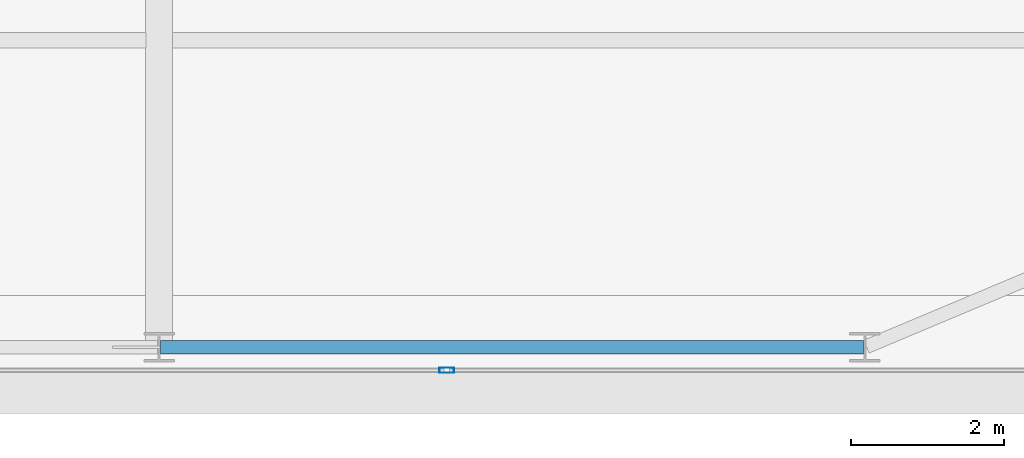
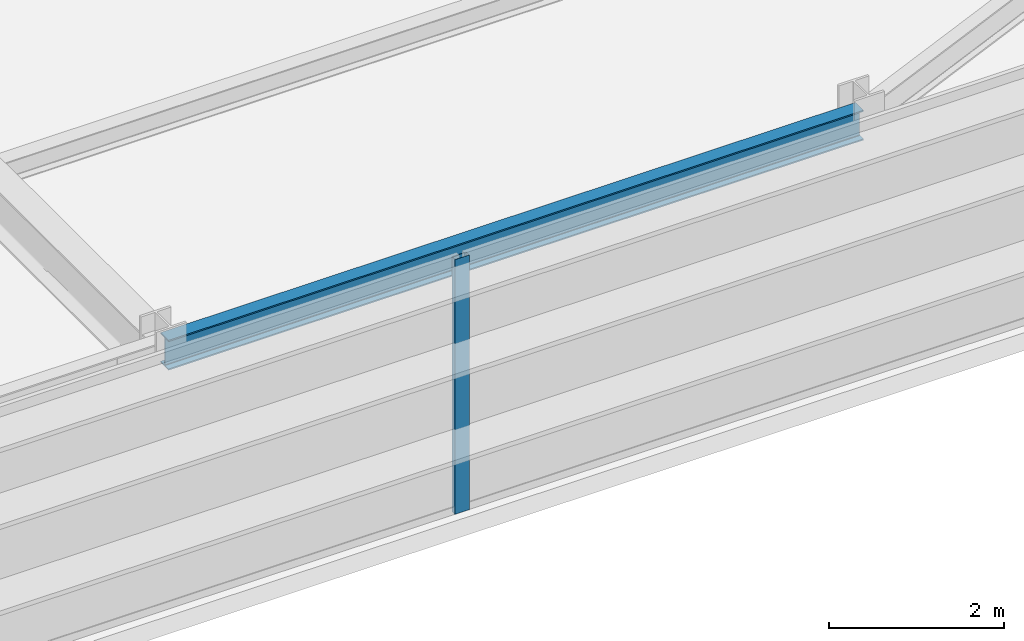
# One storey, part 12 of 32: 1 beam, 1 member, 1 element without a shape of its own.
"""IFC4 building model written with IfcOpenShell, lengths in metres."""

import ifcopenshell
import ifcopenshell.guid

model = None  # the IFC model being written
_history = None  # IfcOwnerHistory: only IFC2X3 demands one
_inside = {}  # id of a spatial element -> (the spatial element, [elements in it])
_under = {}  # id of a project, library or spatial element -> (it, [spatial elements below it])
_declared = {}  # id of a project -> (the project, [libraries it declares])
_typed = {}  # id of a type object -> (the type object, [elements of that type])
_made_of = {}  # id of a material, layer set ... -> (it, [elements and type objects made of it])


def new_model(schema):
    """Start an empty IFC model of exactly this schema.

    Asked for "IFC4X3", IfcOpenShell would pick the latest addendum, in which some entities
    have other attributes; the version numbers below select the first issue.
    IFC2X3 requires an IfcOwnerHistory on every rooted entity: one is made here for all.
    """
    global model, _history
    if schema == "IFC4X3":
        model = ifcopenshell.file(schema_version=(4, 3, 0, 0))
    else:
        model = ifcopenshell.file(schema=schema)
    _inside.clear()
    _under.clear()
    _declared.clear()
    _typed.clear()
    _made_of.clear()
    _history = None
    if model.schema == "IFC2X3":
        org = make("IfcOrganization", Name="unknown")
        user = make(
            "IfcPersonAndOrganization",
            ThePerson=make("IfcPerson", FamilyName="unknown"),
            TheOrganization=org,
        )
        app = make(
            "IfcApplication",
            ApplicationDeveloper=org,
            Version="unknown",
            ApplicationFullName="unknown",
            ApplicationIdentifier="unknown",
        )
        _history = make(
            "IfcOwnerHistory",
            OwningUser=user,
            OwningApplication=app,
            ChangeAction="ADDED",
            CreationDate=0,
        )
    return model


def make(cls, **values):
    """One entity of the class cls with the attributes given. An attribute that is None is left unset."""
    return model.create_entity(
        cls, **{name: value for name, value in values.items() if value is not None}
    )


def rooted(cls, **values):
    """An entity with a GlobalId (a new one), such as an element, a storey or a relation."""
    return make(cls, GlobalId=ifcopenshell.guid.new(), OwnerHistory=_history, **values)


def si_unit(unit_type, name, prefix=None):
    """IfcSIUnit, for example si_unit("LENGTHUNIT", "METRE", prefix="MILLI")."""
    return make("IfcSIUnit", UnitType=unit_type, Prefix=prefix, Name=name)


def assignment(units):
    """IfcUnitAssignment: the units of a project."""
    return None if units is None else make("IfcUnitAssignment", Units=units)


def point(xyz):
    """IfcCartesianPoint."""
    return None if xyz is None else make("IfcCartesianPoint", Coordinates=xyz)


def direction(xyz):
    """IfcDirection."""
    return None if xyz is None else make("IfcDirection", DirectionRatios=xyz)


def frame(location, z_axis=None, x_axis=None):
    """IfcAxis2Placement3D, a coordinate frame: its origin and axes. An axis left out is left unset."""
    return make(
        "IfcAxis2Placement3D",
        Location=point(location),
        Axis=direction(z_axis),
        RefDirection=direction(x_axis),
    )


def frame_2d(location, x_axis=None):
    """IfcAxis2Placement2D, a coordinate frame in the plane: its origin and x axis."""
    return make(
        "IfcAxis2Placement2D", Location=point(location), RefDirection=direction(x_axis)
    )


def origin():
    """The frame at (0, 0, 0) with its axes left unset."""
    return frame((0.0, 0.0, 0.0))


def origin_2d():
    """The frame at (0, 0) in the plane with its x axis left unset."""
    return frame_2d((0.0, 0.0))


def place(relative_to, where):
    """IfcLocalPlacement: puts the frame where relative to a parent placement (None: the world)."""
    return make(
        "IfcLocalPlacement", PlacementRelTo=relative_to, RelativePlacement=where
    )


def context(
    kind, dimensions, precision=None, world=None, true_north=None, identifier=None
):
    """IfcGeometricRepresentationContext, for example the 3D "Model" context."""
    return make(
        "IfcGeometricRepresentationContext",
        ContextIdentifier=identifier,
        ContextType=kind,
        CoordinateSpaceDimension=dimensions,
        Precision=precision,
        WorldCoordinateSystem=world,
        TrueNorth=true_north,
    )


def subcontext(parent, identifier, kind, view, scale=None):
    """IfcGeometricRepresentationSubContext, for example "Body" below "Model"."""
    return make(
        "IfcGeometricRepresentationSubContext",
        ContextIdentifier=identifier,
        ContextType=kind,
        ParentContext=parent,
        TargetScale=scale,
        TargetView=view,
    )


def project(units=None, contexts=None):
    """IfcProject with its units and contexts."""
    return rooted(
        "IfcProject",
        Name="project",
        RepresentationContexts=contexts,
        UnitsInContext=assignment(units),
    )


def spatial(cls, under=None, at=None, **own):
    """A site, building, storey or space (cls), placed at a placement, below another one or the project."""
    s = rooted(cls, ObjectPlacement=at, **own)
    if under is not None:
        _under.setdefault(under.id(), (under, []))[1].append(s)
    return s


def profile(cls, at=None, kind="AREA", **sizes):
    """A parametric profile (cls). Its sizes go by their IFC names, for example OverallWidth=200.0."""
    return make(cls, ProfileType=kind, Position=at, **sizes)


def hollow_rectangle(**sizes):
    """IfcRectangleHollowProfileDef."""
    return profile("IfcRectangleHollowProfileDef", **sizes)


def i_section(**sizes):
    """IfcIShapeProfileDef."""
    return profile("IfcIShapeProfileDef", **sizes)


def extrude(swept, where, along, depth):
    """IfcExtrudedAreaSolid: the profile swept, set in the frame where, extruded along a direction by depth."""
    return make(
        "IfcExtrudedAreaSolid",
        SweptArea=swept,
        Position=where,
        ExtrudedDirection=direction(along),
        Depth=depth,
    )


def shape(context_of_items, identifier, shape_type, items):
    """IfcShapeRepresentation: the items that make up one representation, for example the "Body"."""
    return make(
        "IfcShapeRepresentation",
        ContextOfItems=context_of_items,
        RepresentationIdentifier=identifier,
        RepresentationType=shape_type,
        Items=items,
    )


def source(mapping_origin, context_of_items, identifier, shape_type, items):
    """IfcRepresentationMap: a shape defined once, which mapped items show again and again."""
    return make(
        "IfcRepresentationMap",
        MappingOrigin=mapping_origin,
        MappedRepresentation=shape(context_of_items, identifier, shape_type, items),
    )


def transform(
    local_origin,
    x_axis=None,
    y_axis=None,
    z_axis=None,
    scale=None,
    scale2=None,
    scale3=None,
    uniform=True,
):
    """IfcCartesianTransformationOperator3D, or its non-uniform kind. x_axis, y_axis, z_axis: its Axis1, 2, 3."""
    if uniform:
        return make(
            "IfcCartesianTransformationOperator3D",
            Axis1=direction(x_axis),
            Axis2=direction(y_axis),
            LocalOrigin=point(local_origin),
            Scale=scale,
            Axis3=direction(z_axis),
        )
    return make(
        "IfcCartesianTransformationOperator3DnonUniform",
        Axis1=direction(x_axis),
        Axis2=direction(y_axis),
        LocalOrigin=point(local_origin),
        Scale=scale,
        Axis3=direction(z_axis),
        Scale2=scale2,
        Scale3=scale3,
    )


def mapped(mapping_source, mapping_target):
    """IfcMappedItem: shows the shape of a source again, moved by a transform."""
    return make(
        "IfcMappedItem", MappingSource=mapping_source, MappingTarget=mapping_target
    )


def material(Name=None, Category=None):
    """IfcMaterial."""
    return make("IfcMaterial", Name=Name, Category=Category)


def layer(
    of_material, thickness, ventilated=None, Name=None, Category=None, Priority=None
):
    """IfcMaterialLayer: one layer of a wall or slab, of a material (None: an air gap)."""
    return make(
        "IfcMaterialLayer",
        Material=of_material,
        LayerThickness=thickness,
        IsVentilated=ventilated,
        Name=Name,
        Category=Category,
        Priority=Priority,
    )


def layer_set(layers, Name=None):
    """IfcMaterialLayerSet."""
    return make("IfcMaterialLayerSet", MaterialLayers=layers, LayerSetName=Name)


def material_profile(
    of_material, cross_section, Name=None, Category=None, Priority=None
):
    """IfcMaterialProfile: a cross section and its material."""
    return make(
        "IfcMaterialProfile",
        Name=Name,
        Material=of_material,
        Profile=cross_section,
        Priority=Priority,
        Category=Category,
    )


def profile_set(profiles, Name=None, composite=None):
    """IfcMaterialProfileSet."""
    return make(
        "IfcMaterialProfileSet",
        Name=Name,
        MaterialProfiles=profiles,
        CompositeProfile=composite,
    )


def made_of(thing, what):
    """Note that an element or type object is made of a material, layer set ...; save() writes the relation."""
    if what is not None:
        _made_of.setdefault(what.id(), (what, []))[1].append(thing)
    return thing


def type_object(cls, material=None, **own):
    """A type object (cls), such as IfcWallType, which elements share."""
    return made_of(rooted(cls, **own), material)


def type_shapes(of_type, sources):
    """Give a type object the sources (RepresentationMaps) that its elements show as mapped items."""
    of_type.RepresentationMaps = sources


def element(
    cls,
    number,
    at=None,
    inside=None,
    cuts=None,
    type_object=None,
    material=None,
    context=None,
    identifier="Body",
    shape_type=None,
    held_by="IfcProductDefinitionShape",
    body=None,
    shapes=None,
    **own,
):
    """One element of the class cls, such as IfcWall. Its Tag is "e" and its number.

    at: its placement. inside: the storey or other place that contains it. cuts: it is an
    opening in that element (IfcRelVoidsElement). A single representation is given by context,
    identifier, shape_type and body (its items); several are given by shapes. held_by: the class
    of the entity that holds the representations. save() writes the other relations.
    """
    e = rooted(cls, Tag="e%d" % number, ObjectPlacement=at, **own)
    if body is not None:
        shapes = [shape(context, identifier, shape_type, body)]
    if shapes is not None:
        e.Representation = make(held_by, Representations=shapes)
    if inside is not None:
        _inside.setdefault(inside.id(), (inside, []))[1].append(e)
    if cuts is not None:
        rooted(
            "IfcRelVoidsElement", RelatingBuildingElement=cuts, RelatedOpeningElement=e
        )
    if type_object is not None:
        _typed.setdefault(type_object.id(), (type_object, []))[1].append(e)
    return made_of(e, material)


def aggregate(whole, parts):
    """IfcRelAggregates: a whole, such as a stair, and the parts it consists of."""
    return rooted("IfcRelAggregates", RelatingObject=whole, RelatedObjects=parts)


def save(model, path):
    """Write the relations noted so far, then the file.

    IfcRelAggregates (storeys below a building ...), IfcRelContainedInSpatialStructure (elements
    in a storey), IfcRelDefinesByType, IfcRelAssociatesMaterial and IfcRelDeclares: one each for
    every whole, place, type object, material and project.
    """
    for whole, parts in _under.values():
        aggregate(whole, parts)
    for where, things in _inside.values():
        rooted(
            "IfcRelContainedInSpatialStructure",
            RelatedElements=things,
            RelatingStructure=where,
        )
    for kind, things in _typed.values():
        rooted("IfcRelDefinesByType", RelatedObjects=things, RelatingType=kind)
    for what, things in _made_of.values():
        rooted("IfcRelAssociatesMaterial", RelatedObjects=things, RelatingMaterial=what)
    for by, libraries in _declared.values():
        rooted("IfcRelDeclares", RelatingContext=by, RelatedDefinitions=libraries)
    model.write(path)


model = new_model("IFC4")

# Units and contexts
model_context = context("Model", 3, precision=1e-05, world=origin(), true_north=direction((0.0, 1.0)))
body_context = subcontext(model_context, "Body", "Model", "MODEL_VIEW")
ifc_project = project(units=[si_unit("LENGTHUNIT", "METRE"), si_unit("AREAUNIT", "SQUARE_METRE"), si_unit("VOLUMEUNIT", "CUBIC_METRE"), si_unit("PLANEANGLEUNIT", "RADIAN"), si_unit("MASSUNIT", "GRAM", prefix="KILO")], contexts=[model_context])

# Site, building, storey
site_placement = place(None, origin())
site = spatial("IfcSite", under=ifc_project, at=site_placement, CompositionType="ELEMENT")
building_placement = place(site_placement, origin())
building = spatial("IfcBuilding", under=site, at=building_placement, Name="Varnel Quay Broadcast Tower", CompositionType="ELEMENT")
storey_placement = place(building_placement, frame((0.0, 0.0, 90.800048828125)))
storey = spatial("IfcBuildingStorey", under=building, at=storey_placement, Name="L21", CompositionType="ELEMENT", Elevation=90.800048828125)

# Beam
ifc_material_1 = material(Name="Structural Steel CSA G40.21 350W", Category="steel")
ifc_material_profile_1 = material_profile(ifc_material_1, i_section(OverallWidth=0.180908203125, OverallDepth=0.4169921875, WebThickness=0.010986328125, FlangeThickness=0.018310546875, FilletRadius=0.011962890625, at=origin_2d()), Name="W410X85")
ifc_profile_set_1 = profile_set([ifc_material_profile_1], Name="Structural Steel CSA G40.21 350W")
beam_type = type_object("IfcBeamType", Name="Beam_W410X85", PredefinedType="SPANDREL", material=ifc_profile_set_1)
shared_shape_1 = source(origin(), body_context, "Body", "SweptSolid", [
    extrude(i_section(OverallWidth=0.180908203125, OverallDepth=0.4169921875, WebThickness=0.010986328125, FlangeThickness=0.018310546875, FilletRadius=0.011962890625, at=origin_2d()), origin(), (0.0, 0.0, 1.0), 9.159912109375),
])
type_shapes(beam_type, [shared_shape_1])
beam_placement = place(storey_placement, frame((43.219970703125, 4.64990234375, 3.341552734375), z_axis=(1.0, 0.0, 0.0), x_axis=(0.0, 1.0, 0.0)))
element("IfcBeam", 1, at=beam_placement, inside=storey, type_object=beam_type, Name="L21 South Spandrel TC-S4-TC-S5", PredefinedType="SPANDREL", context=body_context, shape_type="MappedRepresentation", body=[
    mapped(shared_shape_1, transform((0.0, 0.0, 0.0), x_axis=(1.0, 0.0, 0.0), y_axis=(0.0, 1.0, 0.0), z_axis=(0.0, 0.0, 1.0), scale=1.0)),
])

# Curtain wall, member
ifc_material_2 = material(Name="Anodised Bronze Aluminium 6063-T6", Category="aluminium")
ifc_layer = layer(ifc_material_2, 0.18994140625, Name="Anodised Bronze Aluminium 6063-T6")
ifc_layer_set = layer_set([ifc_layer], Name="Anodised Bronze Aluminium 6063-T6")
curtain_wall_type = type_object("IfcCurtainWallType", Name="CW_LowerTower", PredefinedType="NOTDEFINED", material=ifc_layer_set)
curtain_wall_placement = place(storey_placement, origin())
curtain_wall = element("IfcCurtainWall", 2, at=curtain_wall_placement, inside=storey, type_object=curtain_wall_type, Name="L21 South Unitised Curtain Wall 1", PredefinedType="NOTDEFINED")
ifc_material_profile_2 = material_profile(ifc_material_2, hollow_rectangle(XDim=0.070068359375, YDim=0.18994140625, WallThickness=0.00390625, at=origin_2d()), Name="ALU70X190X4")
ifc_profile_set_2 = profile_set([ifc_material_profile_2], Name="Anodised Bronze Aluminium 6063-T6")
member_type = type_object("IfcMemberType", Name="Mull_CWS-02", PredefinedType="MULLION", material=ifc_profile_set_2)
shared_shape_2 = source(origin(), body_context, "Body", "SweptSolid", [
    extrude(hollow_rectangle(XDim=0.070068359375, YDim=0.18994140625, WallThickness=0.00390625, at=origin_2d()), origin(), (0.0, 0.0, 1.0), 3.550048828125),
])
type_shapes(member_type, [shared_shape_2])
member_placement = place(storey_placement, frame((46.949951171875, 4.35009765625, 0.0), z_axis=(0.0, 0.0, 1.0), x_axis=(0.0, 1.0, 0.0)))
member = element("IfcMember", 3, at=member_placement, type_object=member_type, Name="CWS-02 mullion 4", PredefinedType="MULLION", context=body_context, shape_type="MappedRepresentation", body=[
    mapped(shared_shape_2, transform((0.0, 0.0, 0.0), x_axis=(1.0, 0.0, 0.0), y_axis=(0.0, 1.0, 0.0), z_axis=(0.0, 0.0, 1.0), scale=1.0)),
])
aggregate(curtain_wall, [member])

save(model, "model.ifc")
